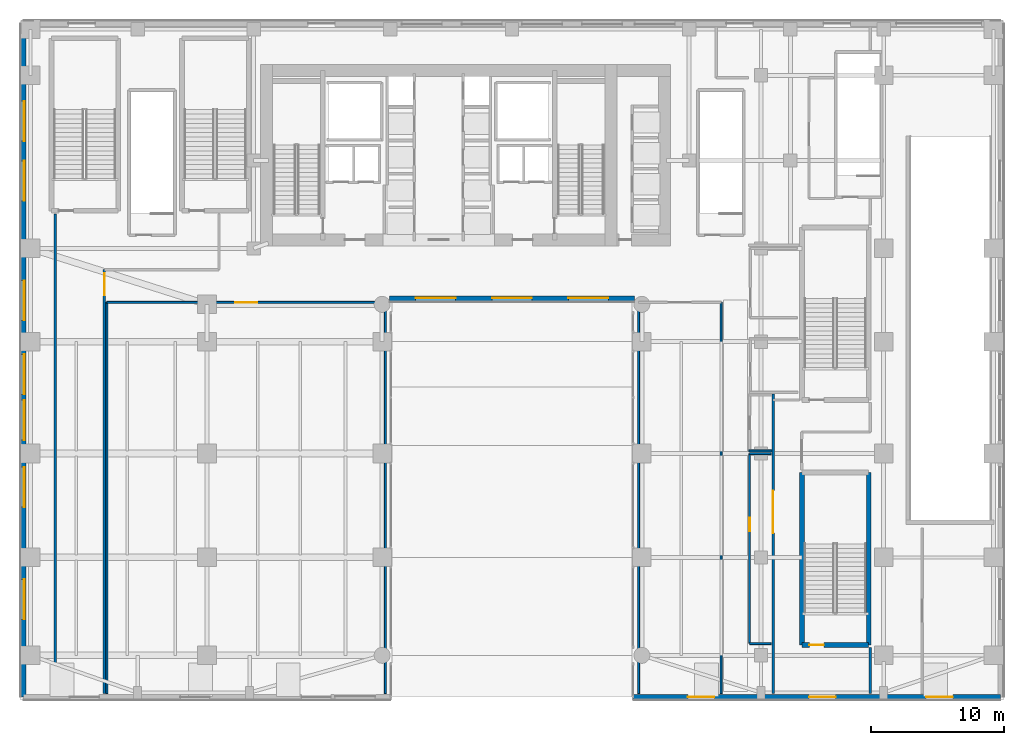
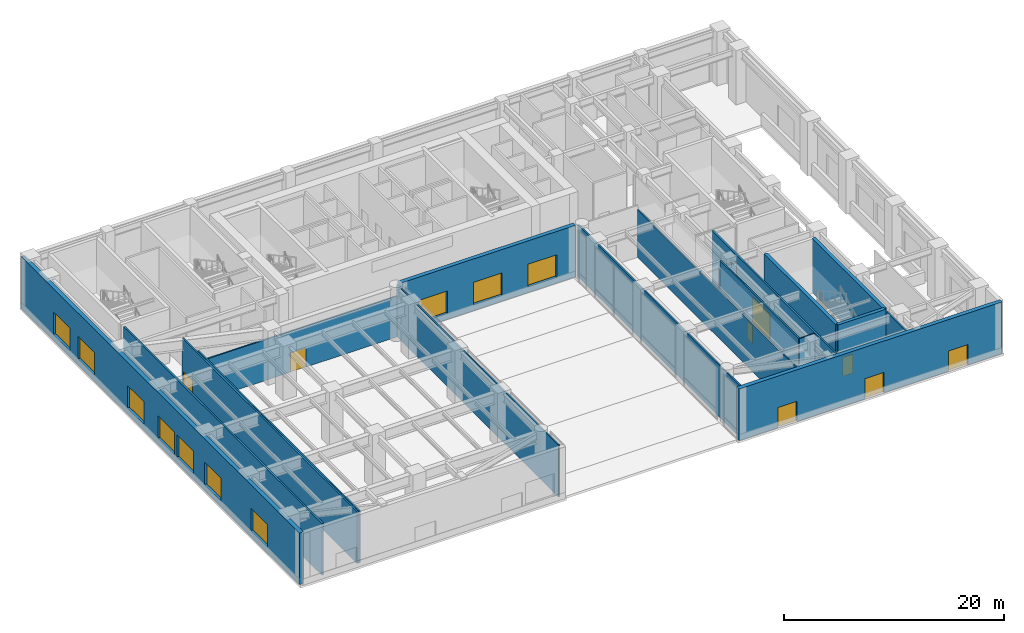
# One storey, part 13 of 28: 19 walls, 10 windows, 8 doors, 18 openings.
"""IFC4 building model written with IfcOpenShell, lengths in metres."""

from ifc_helpers import new_model, si_unit, direction, frame, frame_2d, origin, place, context, subcontext, project, spatial, rectangle, extrude, source, transform, mapped, material, layer, layer_set, type_object, type_shapes, element, fill, save


model = new_model("IFC4")

# Units and contexts
model_context = context("Model", 3, precision=1e-05, world=origin(), true_north=direction((0.0, 1.0)))
body_context = subcontext(model_context, "Body", "Model", "MODEL_VIEW")
ifc_project = project(units=[si_unit("LENGTHUNIT", "METRE"), si_unit("AREAUNIT", "SQUARE_METRE"), si_unit("VOLUMEUNIT", "CUBIC_METRE"), si_unit("PLANEANGLEUNIT", "RADIAN"), si_unit("MASSUNIT", "GRAM", prefix="KILO")], contexts=[model_context])

# Site, building, storey
site_placement = place(None, origin())
site = spatial("IfcSite", under=ifc_project, at=site_placement, CompositionType="ELEMENT")
building_placement = place(site_placement, origin())
building = spatial("IfcBuilding", under=site, at=building_placement, Name="Tolvann Quenvar Hotel", CompositionType="ELEMENT")
storey_placement = place(building_placement, origin())
storey = spatial("IfcBuildingStorey", under=building, at=storey_placement, Name="L00", CompositionType="ELEMENT", Elevation=0.0)

# Wall, opening, door
ifc_material_1 = material(Name="Concrete S65 (65 MPa)", Category="concrete")
ifc_layer_1 = layer(ifc_material_1, 0.35009765625)
ifc_layer_set_1 = layer_set([ifc_layer_1], Name="Concrete S65 (65 MPa)")
wall_type_1 = type_object("IfcWallType", Name="WALL_CORE_INT_350", PredefinedType="SHEAR", material=ifc_layer_set_1)
wall_1_placement = place(storey_placement, frame((50.27490234375, 1.625, 0.0), z_axis=(0.0, 0.0, 1.0), x_axis=(1.0, 0.0, 0.0)))
wall_1 = element("IfcWall", 1, at=wall_1_placement, inside=storey, type_object=wall_type_1, Name="Stairwell ST-P3 Structural Shaft Wall S (L00)", PredefinedType="SHEAR", context=body_context, shape_type="SweptSolid", body=[
    extrude(rectangle(XDim=5.0, YDim=0.35009765625, at=frame_2d((2.5, 0.0))), origin(), (0.0, 0.0, 1.0), 6.0),
])
opening_1_placement = place(wall_1_placement, frame((1.650146484375, 0.0, 0.0), z_axis=(0.0, 0.0, 1.0), x_axis=(-1.0, 0.0, 0.0)))
opening_1 = element("IfcOpeningElement", 2, at=opening_1_placement, cuts=wall_1, Name="Opening FD-120", PredefinedType="OPENING", context=body_context, shape_type="SweptSolid", body=[
    extrude(rectangle(XDim=1.10009765625, YDim=2.1201171875, at=frame_2d((0.550048828125, 1.06005859375))), frame((0.0, 0.18505859375, 0.0), z_axis=(0.0, -1.0, 0.0), x_axis=(1.0, 0.0, 0.0)), (0.0, 0.0, 1.0), 0.3701171875),
])
ifc_material_2 = material(Name="Pressed galvanised steel fire-rated door set", Category="steel")
door_type_1 = type_object("IfcDoorType", Name="DOOR_FIRE_STAIR_1100", OperationType="NOTDEFINED", PredefinedType="DOOR", material=ifc_material_2)
shared_shape_1 = source(origin(), body_context, "Body", "SweptSolid", [
    extrude(rectangle(XDim=1.10009765625, YDim=2.1201171875, at=frame_2d((0.550048828125, 1.06005859375))), frame((0.0, 0.02490234375, 0.0), z_axis=(0.0, -1.0, 0.0), x_axis=(1.0, 0.0, 0.0)), (0.0, 0.0, 1.0), 0.050048828125),
])
type_shapes(door_type_1, [shared_shape_1])
door_1_placement = place(opening_1_placement, origin())
door_1 = element("IfcDoor", 3, at=door_1_placement, inside=storey, type_object=door_type_1, Name="Exit Stair ST-P3 Fire Door (L00)", OperationType="SINGLE_SWING_LEFT", OverallHeight=2.1201171875, OverallWidth=1.10009765625, PredefinedType="DOOR", context=body_context, shape_type="MappedRepresentation", body=[
    mapped(shared_shape_1, transform((0.0, 0.0, 0.0), x_axis=(1.0, 0.0, 0.0), y_axis=(0.0, 1.0, 0.0), z_axis=(0.0, 0.0, 1.0), scale=1.0)),
])
fill(opening_1, door_1)

# Walls
for number, where, z_axis, x_axis, name in (
    (4, (55.27490234375, 1.625, 0.0), (0.0, 0.0, 1.0), (0.0, 1.0, 0.0), "Stairwell ST-P3 Structural Shaft Wall E (L00)"),
    (5, (50.27490234375, 14.574951171875, 0.0), (0.0, 0.0, 1.0), (0.0, -1.0, 0.0), "Stairwell ST-P3 Structural Shaft Wall W (L00)"),
):
    element("IfcWall", number, at=place(storey_placement, frame(where, z_axis=z_axis, x_axis=x_axis)), inside=storey, type_object=wall_type_1, Name=name, PredefinedType="SHEAR", context=body_context, shape_type="SweptSolid", body=[
        extrude(rectangle(XDim=12.949951171875, YDim=0.35009765625, at=frame_2d((6.47509765625, 0.0))), origin(), (0.0, 0.0, 1.0), 6.0),
    ])

# Wall, openings, windows
ifc_material_3 = material(Name="Kiln-fired red and buff architectural clay brickwork and terracotta masonry", Category="masonry")
ifc_layer_2 = layer(ifc_material_3, 0.419921875)
ifc_layer_set_2 = layer_set([ifc_layer_2], Name="Kiln-fired red and buff architectural clay brickwork and terracotta masonry")
wall_type_2 = type_object("IfcWallType", Name="WALL_EXT_POD_420", PredefinedType="SOLIDWALL", material=ifc_layer_set_2)
wall_2_placement = place(storey_placement, frame((19.2900390625, 27.610107421875, 0.0), z_axis=(0.0, 0.0, 1.0), x_axis=(1.0, 0.0, 0.0)))
wall_2 = element("IfcWall", 6, at=wall_2_placement, inside=storey, type_object=wall_type_2, Name="Exterior Chicago Brick Wall L00-E02", PredefinedType="SOLIDWALL", context=body_context, shape_type="SweptSolid", body=[
    extrude(rectangle(XDim=18.419921875, YDim=0.419921875, at=frame_2d((9.2099609375, 0.0))), origin(), (0.0, 0.0, 1.0), 5.739990234375),
])
opening_2_placement = place(wall_2_placement, frame((1.969970703125, 0.0, 0.64990234375)))
opening_2 = element("IfcOpeningElement", 7, at=opening_2_placement, cuts=wall_2, Name="Opening W-05", PredefinedType="OPENING", context=body_context, shape_type="SweptSolid", body=[
    extrude(rectangle(XDim=3.0, YDim=2.5, at=frame_2d((1.5, 1.25))), frame((0.0, 0.219970703125, 0.0), z_axis=(0.0, -1.0, 0.0), x_axis=(1.0, 0.0, 0.0)), (0.0, 0.0, 1.0), 0.43994140625),
])
opening_3_placement = place(wall_2_placement, frame((7.7099609375, 0.0, 0.64990234375)))
opening_3 = element("IfcOpeningElement", 8, at=opening_3_placement, cuts=wall_2, Name="Opening W-05", PredefinedType="OPENING", context=body_context, shape_type="SweptSolid", body=[
    extrude(rectangle(XDim=3.0, YDim=2.5, at=frame_2d((1.5, 1.25))), frame((0.0, 0.219970703125, 0.0), z_axis=(0.0, -1.0, 0.0), x_axis=(1.0, 0.0, 0.0)), (0.0, 0.0, 1.0), 0.43994140625),
])
opening_4_placement = place(wall_2_placement, frame((13.449951171875, 0.0, 0.64990234375)))
opening_4 = element("IfcOpeningElement", 9, at=opening_4_placement, cuts=wall_2, Name="Opening W-05", PredefinedType="OPENING", context=body_context, shape_type="SweptSolid", body=[
    extrude(rectangle(XDim=3.0, YDim=2.5, at=frame_2d((1.5, 1.25))), frame((0.0, 0.219970703125, 0.0), z_axis=(0.0, -1.0, 0.0), x_axis=(1.0, 0.0, 0.0)), (0.0, 0.0, 1.0), 0.43994140625),
])
ifc_material_4 = material(Name="Thermally broken bronze-anodised aluminium frame with double low-E glazing", Category="aluminium")
window_type = type_object("IfcWindowType", Name="WIN_POD_3000x2600", PartitioningType="TRIPLE_PANEL_HORIZONTAL", PredefinedType="WINDOW", material=ifc_material_4)
shared_shape_2 = source(origin(), body_context, "Body", "SweptSolid", [
    extrude(rectangle(XDim=3.0, YDim=2.5, at=frame_2d((1.5, 1.25))), frame((0.0, 0.090087890625, 0.0), z_axis=(0.0, -1.0, 0.0), x_axis=(1.0, 0.0, 0.0)), (0.0, 0.0, 1.0), 0.06005859375),
])
type_shapes(window_type, [shared_shape_2])
window_1_placement = place(opening_2_placement, origin())
window_1 = element("IfcWindow", 10, at=window_1_placement, inside=storey, type_object=window_type, Name="Chicago Window W-05 (EW-L00-E02-W01)", OverallHeight=2.5, OverallWidth=3.0, PartitioningType="TRIPLE_PANEL_HORIZONTAL", PredefinedType="WINDOW", context=body_context, shape_type="MappedRepresentation", body=[
    mapped(shared_shape_2, transform((0.0, 0.0, 0.0), x_axis=(1.0, 0.0, 0.0), y_axis=(0.0, 1.0, 0.0), z_axis=(0.0, 0.0, 1.0), scale=1.0)),
])
fill(opening_2, window_1)
window_2_placement = place(opening_3_placement, origin())
window_2 = element("IfcWindow", 11, at=window_2_placement, inside=storey, type_object=window_type, Name="Chicago Window W-05 (EW-L00-E02-W02)", OverallHeight=2.5, OverallWidth=3.0, PartitioningType="TRIPLE_PANEL_HORIZONTAL", PredefinedType="WINDOW", context=body_context, shape_type="MappedRepresentation", body=[
    mapped(shared_shape_2, transform((0.0, 0.0, 0.0), x_axis=(1.0, 0.0, 0.0), y_axis=(0.0, 1.0, 0.0), z_axis=(0.0, 0.0, 1.0), scale=1.0)),
])
fill(opening_3, window_2)
window_3_placement = place(opening_4_placement, origin())
window_3 = element("IfcWindow", 12, at=window_3_placement, inside=storey, type_object=window_type, Name="Chicago Window W-05 (EW-L00-E02-W03)", OverallHeight=2.5, OverallWidth=3.0, PartitioningType="TRIPLE_PANEL_HORIZONTAL", PredefinedType="WINDOW", context=body_context, shape_type="MappedRepresentation", body=[
    mapped(shared_shape_2, transform((0.0, 0.0, 0.0), x_axis=(1.0, 0.0, 0.0), y_axis=(0.0, 1.0, 0.0), z_axis=(0.0, 0.0, 1.0), scale=1.0)),
])
fill(opening_4, window_3)

# Wall, openings, doors
wall_3_placement = place(storey_placement, frame((37.590087890625, -2.2900390625, 0.0), z_axis=(0.0, 0.0, 1.0), x_axis=(1.0, 0.0, 0.0)))
wall_3 = element("IfcWall", 13, at=wall_3_placement, inside=storey, type_object=wall_type_2, Name="Exterior Chicago Brick Wall L00-E04", PredefinedType="SOLIDWALL", context=body_context, shape_type="SweptSolid", body=[
    extrude(rectangle(XDim=27.599853515625, YDim=0.419921875, at=frame_2d((13.7998046875, 0.0))), origin(), (0.0, 0.0, 1.0), 5.739990234375),
])
opening_5_placement = place(wall_3_placement, frame((6.110107421875, 0.0, 0.0), z_axis=(0.0, 0.0, 1.0), x_axis=(-1.0, 0.0, 0.0)))
opening_5 = element("IfcOpeningElement", 14, at=opening_5_placement, cuts=wall_3, Name="Opening EX-D1", PredefinedType="OPENING", context=body_context, shape_type="SweptSolid", body=[
    extrude(rectangle(XDim=2.0, YDim=2.25, at=frame_2d((1.0, 1.125))), frame((0.0, 0.219970703125, 0.0), z_axis=(0.0, -1.0, 0.0), x_axis=(1.0, 0.0, 0.0)), (0.0, 0.0, 1.0), 0.43994140625),
])
opening_6_placement = place(wall_3_placement, frame((15.2099609375, 0.0, 0.0), z_axis=(0.0, 0.0, 1.0), x_axis=(-1.0, 0.0, 0.0)))
opening_6 = element("IfcOpeningElement", 15, at=opening_6_placement, cuts=wall_3, Name="Opening EX-D1", PredefinedType="OPENING", context=body_context, shape_type="SweptSolid", body=[
    extrude(rectangle(XDim=2.0, YDim=2.25, at=frame_2d((1.0, 1.125))), frame((0.0, 0.219970703125, 0.0), z_axis=(0.0, -1.0, 0.0), x_axis=(1.0, 0.0, 0.0)), (0.0, 0.0, 1.0), 0.43994140625),
])
opening_7_placement = place(wall_3_placement, frame((24.010009765625, 0.0, 0.0), z_axis=(0.0, 0.0, 1.0), x_axis=(-1.0, 0.0, 0.0)))
opening_7 = element("IfcOpeningElement", 16, at=opening_7_placement, cuts=wall_3, Name="Opening EX-D1", PredefinedType="OPENING", context=body_context, shape_type="SweptSolid", body=[
    extrude(rectangle(XDim=2.0, YDim=2.25, at=frame_2d((1.0, 1.125))), frame((0.0, 0.219970703125, 0.0), z_axis=(0.0, -1.0, 0.0), x_axis=(1.0, 0.0, 0.0)), (0.0, 0.0, 1.0), 0.43994140625),
])
ifc_material_5 = material(Name="Bronze-anodised thermally broken aluminium glazed entrance door", Category="aluminium")
door_type_2 = type_object("IfcDoorType", Name="DOOR_EXT_FINAL_2000", OperationType="NOTDEFINED", PredefinedType="DOOR", material=ifc_material_5)
shared_shape_3 = source(origin(), body_context, "Body", "SweptSolid", [
    extrude(rectangle(XDim=2.0, YDim=2.25, at=frame_2d((1.0, 1.125))), frame((0.0, 0.02490234375, 0.0), z_axis=(0.0, -1.0, 0.0), x_axis=(1.0, 0.0, 0.0)), (0.0, 0.0, 1.0), 0.050048828125),
])
type_shapes(door_type_2, [shared_shape_3])
door_2_placement = place(opening_5_placement, origin())
door_2 = element("IfcDoor", 17, at=door_2_placement, inside=storey, type_object=door_type_2, Name="Southbank Promenade Final Exit Door EX-SE1", OperationType="DOUBLE_DOOR_SINGLE_SWING", OverallHeight=2.25, OverallWidth=2.0, PredefinedType="DOOR", context=body_context, shape_type="MappedRepresentation", body=[
    mapped(shared_shape_3, transform((0.0, 0.0, 0.0), x_axis=(1.0, 0.0, 0.0), y_axis=(0.0, 1.0, 0.0), z_axis=(0.0, 0.0, 1.0), scale=1.0)),
])
fill(opening_5, door_2)
door_3_placement = place(opening_6_placement, origin())
door_3 = element("IfcDoor", 18, at=door_3_placement, inside=storey, type_object=door_type_2, Name="Southbank Promenade Final Exit Door EX-SE2", OperationType="DOUBLE_DOOR_SINGLE_SWING", OverallHeight=2.25, OverallWidth=2.0, PredefinedType="DOOR", context=body_context, shape_type="MappedRepresentation", body=[
    mapped(shared_shape_3, transform((0.0, 0.0, 0.0), x_axis=(1.0, 0.0, 0.0), y_axis=(0.0, 1.0, 0.0), z_axis=(0.0, 0.0, 1.0), scale=1.0)),
])
fill(opening_6, door_3)
door_4_placement = place(opening_7_placement, origin())
door_4 = element("IfcDoor", 19, at=door_4_placement, inside=storey, type_object=door_type_2, Name="Southbank Promenade Final Exit Door EX-SE3", OperationType="DOUBLE_DOOR_SINGLE_SWING", OverallHeight=2.25, OverallWidth=2.0, PredefinedType="DOOR", context=body_context, shape_type="MappedRepresentation", body=[
    mapped(shared_shape_3, transform((0.0, 0.0, 0.0), x_axis=(1.0, 0.0, 0.0), y_axis=(0.0, 1.0, 0.0), z_axis=(0.0, 0.0, 1.0), scale=1.0)),
])
fill(opening_7, door_4)

# Wall, openings, windows
wall_4_placement = place(storey_placement, frame((-8.18994140625, 48.2900390625, 0.0), z_axis=(0.0, 0.0, 1.0), x_axis=(0.0, -1.0, 0.0)))
wall_4 = element("IfcWall", 20, at=wall_4_placement, inside=storey, type_object=wall_type_2, Name="Exterior Chicago Brick Wall L00-E07", PredefinedType="SOLIDWALL", context=body_context, shape_type="SweptSolid", body=[
    extrude(rectangle(XDim=50.580078125, YDim=0.419921875, at=frame_2d((25.2900390625, 0.0))), origin(), (0.0, 0.0, 1.0), 5.739990234375),
])
opening_8_placement = place(wall_4_placement, frame((5.833984375, 0.0, 0.64990234375)))
opening_8 = element("IfcOpeningElement", 21, at=opening_8_placement, cuts=wall_4, Name="Opening W-05", PredefinedType="OPENING", context=body_context, shape_type="SweptSolid", body=[
    extrude(rectangle(XDim=3.0, YDim=2.5, at=frame_2d((1.5, 1.25))), frame((0.0, 0.219970703125, 0.0), z_axis=(0.0, -1.0, 0.0), x_axis=(1.0, 0.0, 0.0)), (0.0, 0.0, 1.0), 0.43994140625),
])
opening_9_placement = place(wall_4_placement, frame((10.322998046875, 0.0, 0.64990234375)))
opening_9 = element("IfcOpeningElement", 22, at=opening_9_placement, cuts=wall_4, Name="Opening W-05", PredefinedType="OPENING", context=body_context, shape_type="SweptSolid", body=[
    extrude(rectangle(XDim=3.0, YDim=2.5, at=frame_2d((1.5, 1.25))), frame((0.0, 0.219970703125, 0.0), z_axis=(0.0, -1.0, 0.0), x_axis=(1.0, 0.0, 0.0)), (0.0, 0.0, 1.0), 0.43994140625),
])
opening_10_placement = place(wall_4_placement, frame((19.301025390625, 0.0, 0.64990234375)))
opening_10 = element("IfcOpeningElement", 23, at=opening_10_placement, cuts=wall_4, Name="Opening W-05", PredefinedType="OPENING", context=body_context, shape_type="SweptSolid", body=[
    extrude(rectangle(XDim=3.0, YDim=2.5, at=frame_2d((1.5, 1.25))), frame((0.0, 0.219970703125, 0.0), z_axis=(0.0, -1.0, 0.0), x_axis=(1.0, 0.0, 0.0)), (0.0, 0.0, 1.0), 0.43994140625),
])
opening_11_placement = place(wall_4_placement, frame((24.840087890625, 0.0, 0.64990234375)))
opening_11 = element("IfcOpeningElement", 24, at=opening_11_placement, cuts=wall_4, Name="Opening W-05", PredefinedType="OPENING", context=body_context, shape_type="SweptSolid", body=[
    extrude(rectangle(XDim=3.0, YDim=2.5, at=frame_2d((1.5, 1.25))), frame((0.0, 0.219970703125, 0.0), z_axis=(0.0, -1.0, 0.0), x_axis=(1.0, 0.0, 0.0)), (0.0, 0.0, 1.0), 0.43994140625),
])
opening_12_placement = place(wall_4_placement, frame((28.279052734375, 0.0, 0.64990234375)))
opening_12 = element("IfcOpeningElement", 25, at=opening_12_placement, cuts=wall_4, Name="Opening W-05", PredefinedType="OPENING", context=body_context, shape_type="SweptSolid", body=[
    extrude(rectangle(XDim=3.0, YDim=2.5, at=frame_2d((1.5, 1.25))), frame((0.0, 0.219970703125, 0.0), z_axis=(0.0, -1.0, 0.0), x_axis=(1.0, 0.0, 0.0)), (0.0, 0.0, 1.0), 0.43994140625),
])
opening_13_placement = place(wall_4_placement, frame((33.318115234375, 0.0, 0.64990234375)))
opening_13 = element("IfcOpeningElement", 26, at=opening_13_placement, cuts=wall_4, Name="Opening W-05", PredefinedType="OPENING", context=body_context, shape_type="SweptSolid", body=[
    extrude(rectangle(XDim=3.0, YDim=2.5, at=frame_2d((1.5, 1.25))), frame((0.0, 0.219970703125, 0.0), z_axis=(0.0, -1.0, 0.0), x_axis=(1.0, 0.0, 0.0)), (0.0, 0.0, 1.0), 0.43994140625),
])
opening_14_placement = place(wall_4_placement, frame((41.74609375, 0.0, 0.64990234375)))
opening_14 = element("IfcOpeningElement", 27, at=opening_14_placement, cuts=wall_4, Name="Opening W-05", PredefinedType="OPENING", context=body_context, shape_type="SweptSolid", body=[
    extrude(rectangle(XDim=3.0, YDim=2.5, at=frame_2d((1.5, 1.25))), frame((0.0, 0.219970703125, 0.0), z_axis=(0.0, -1.0, 0.0), x_axis=(1.0, 0.0, 0.0)), (0.0, 0.0, 1.0), 0.43994140625),
])
window_4_placement = place(opening_8_placement, origin())
window_4 = element("IfcWindow", 28, at=window_4_placement, inside=storey, type_object=window_type, Name="Chicago Window W-05 (EW-L00-E07-W01)", OverallHeight=2.5, OverallWidth=3.0, PartitioningType="TRIPLE_PANEL_HORIZONTAL", PredefinedType="WINDOW", context=body_context, shape_type="MappedRepresentation", body=[
    mapped(shared_shape_2, transform((0.0, 0.0, 0.0), x_axis=(1.0, 0.0, 0.0), y_axis=(0.0, 1.0, 0.0), z_axis=(0.0, 0.0, 1.0), scale=1.0)),
])
fill(opening_8, window_4)
window_5_placement = place(opening_9_placement, origin())
window_5 = element("IfcWindow", 29, at=window_5_placement, inside=storey, type_object=window_type, Name="Chicago Window W-05 (EW-L00-E07-W02)", OverallHeight=2.5, OverallWidth=3.0, PartitioningType="TRIPLE_PANEL_HORIZONTAL", PredefinedType="WINDOW", context=body_context, shape_type="MappedRepresentation", body=[
    mapped(shared_shape_2, transform((0.0, 0.0, 0.0), x_axis=(1.0, 0.0, 0.0), y_axis=(0.0, 1.0, 0.0), z_axis=(0.0, 0.0, 1.0), scale=1.0)),
])
fill(opening_9, window_5)
window_6_placement = place(opening_10_placement, origin())
window_6 = element("IfcWindow", 30, at=window_6_placement, inside=storey, type_object=window_type, Name="Chicago Window W-05 (EW-L00-E07-W03)", OverallHeight=2.5, OverallWidth=3.0, PartitioningType="TRIPLE_PANEL_HORIZONTAL", PredefinedType="WINDOW", context=body_context, shape_type="MappedRepresentation", body=[
    mapped(shared_shape_2, transform((0.0, 0.0, 0.0), x_axis=(1.0, 0.0, 0.0), y_axis=(0.0, 1.0, 0.0), z_axis=(0.0, 0.0, 1.0), scale=1.0)),
])
fill(opening_10, window_6)
window_7_placement = place(opening_11_placement, origin())
window_7 = element("IfcWindow", 31, at=window_7_placement, inside=storey, type_object=window_type, Name="Chicago Window W-05 (EW-L00-E07-W04)", OverallHeight=2.5, OverallWidth=3.0, PartitioningType="TRIPLE_PANEL_HORIZONTAL", PredefinedType="WINDOW", context=body_context, shape_type="MappedRepresentation", body=[
    mapped(shared_shape_2, transform((0.0, 0.0, 0.0), x_axis=(1.0, 0.0, 0.0), y_axis=(0.0, 1.0, 0.0), z_axis=(0.0, 0.0, 1.0), scale=1.0)),
])
fill(opening_11, window_7)
window_8_placement = place(opening_12_placement, origin())
window_8 = element("IfcWindow", 32, at=window_8_placement, inside=storey, type_object=window_type, Name="Chicago Window W-05 (EW-L00-E07-W05)", OverallHeight=2.5, OverallWidth=3.0, PartitioningType="TRIPLE_PANEL_HORIZONTAL", PredefinedType="WINDOW", context=body_context, shape_type="MappedRepresentation", body=[
    mapped(shared_shape_2, transform((0.0, 0.0, 0.0), x_axis=(1.0, 0.0, 0.0), y_axis=(0.0, 1.0, 0.0), z_axis=(0.0, 0.0, 1.0), scale=1.0)),
])
fill(opening_12, window_8)
window_9_placement = place(opening_13_placement, origin())
window_9 = element("IfcWindow", 33, at=window_9_placement, inside=storey, type_object=window_type, Name="Chicago Window W-05 (EW-L00-E07-W06)", OverallHeight=2.5, OverallWidth=3.0, PartitioningType="TRIPLE_PANEL_HORIZONTAL", PredefinedType="WINDOW", context=body_context, shape_type="MappedRepresentation", body=[
    mapped(shared_shape_2, transform((0.0, 0.0, 0.0), x_axis=(1.0, 0.0, 0.0), y_axis=(0.0, 1.0, 0.0), z_axis=(0.0, 0.0, 1.0), scale=1.0)),
])
fill(opening_13, window_9)
window_10_placement = place(opening_14_placement, origin())
window_10 = element("IfcWindow", 34, at=window_10_placement, inside=storey, type_object=window_type, Name="Chicago Window W-05 (EW-L00-E07-W07)", OverallHeight=2.5, OverallWidth=3.0, PartitioningType="TRIPLE_PANEL_HORIZONTAL", PredefinedType="WINDOW", context=body_context, shape_type="MappedRepresentation", body=[
    mapped(shared_shape_2, transform((0.0, 0.0, 0.0), x_axis=(1.0, 0.0, 0.0), y_axis=(0.0, 1.0, 0.0), z_axis=(0.0, 0.0, 1.0), scale=1.0)),
])
fill(opening_14, window_10)

# Wall, opening, door
ifc_material_6 = material(Name="Acoustic twin-stud fire-rated gypsum plasterboard partition")
ifc_layer_3 = layer(ifc_material_6, 0.179931640625)
ifc_layer_set_3 = layer_set([ifc_layer_3], Name="Acoustic twin-stud fire-rated gypsum plasterboard partition")
wall_type_3 = type_object("IfcWallType", Name="WALL_PART_ACOUSTIC_180", PredefinedType="PARTITIONING", material=ifc_layer_set_3)
wall_5_placement = place(storey_placement, frame((-2.10009765625, -2.02490234375, 0.0), z_axis=(0.0, 0.0, 1.0), x_axis=(0.0, 1.0, 0.0)))
wall_5 = element("IfcWall", 35, at=wall_5_placement, inside=storey, type_object=wall_type_3, Name="Interior Partition PT-SPC-L00-EDP-NW-E2", PredefinedType="PARTITIONING", context=body_context, shape_type="SweptSolid", body=[
    extrude(rectangle(XDim=31.824951171875, YDim=0.179931640625, at=frame_2d((15.91259765625, 0.0))), origin(), (0.0, 0.0, 1.0), 5.739990234375),
])
opening_15_placement = place(wall_5_placement, frame((29.905029296875, 0.0, 0.0)))
opening_15 = element("IfcOpeningElement", 36, at=opening_15_placement, cuts=wall_5, Name="Opening AD-01", PredefinedType="OPENING", context=body_context, shape_type="SweptSolid", body=[
    extrude(rectangle(XDim=1.64990234375, YDim=2.14990234375, at=frame_2d((0.824951171875, 1.074951171875))), frame((0.0, 0.10009765625, 0.0), z_axis=(0.0, -1.0, 0.0), x_axis=(1.0, 0.0, 0.0)), (0.0, 0.0, 1.0), 0.199951171875),
])
ifc_material_7 = material(Name="Solid-core American oak acoustic fire door leaf in steel frame", Category="steel")
door_type_3 = type_object("IfcDoorType", Name="DOOR_SALON_1650", OperationType="NOTDEFINED", PredefinedType="DOOR", material=ifc_material_7)
shared_shape_4 = source(origin(), body_context, "Body", "SweptSolid", [
    extrude(rectangle(XDim=1.64990234375, YDim=2.14990234375, at=frame_2d((0.824951171875, 1.074951171875))), frame((0.0, 0.02490234375, 0.0), z_axis=(0.0, -1.0, 0.0), x_axis=(1.0, 0.0, 0.0)), (0.0, 0.0, 1.0), 0.050048828125),
])
type_shapes(door_type_3, [shared_shape_4])
door_5_placement = place(opening_15_placement, origin())
door_5 = element("IfcDoor", 37, at=door_5_placement, inside=storey, type_object=door_type_3, Name="Interior Door DOOR-SPC-L00-EDP-NW", OperationType="DOUBLE_DOOR_SINGLE_SWING", OverallHeight=2.14990234375, OverallWidth=1.64990234375, PredefinedType="DOOR", context=body_context, shape_type="MappedRepresentation", body=[
    mapped(shared_shape_4, transform((0.0, 0.0, 0.0), x_axis=(1.0, 0.0, 0.0), y_axis=(0.0, 1.0, 0.0), z_axis=(0.0, 0.0, 1.0), scale=1.0)),
])
fill(opening_15, door_5)

# Walls
wall_6_placement = place(storey_placement, frame((-5.800048828125, -2.02490234375, 0.0), z_axis=(0.0, 0.0, 1.0), x_axis=(0.0, 1.0, 0.0)))
element("IfcWall", 38, at=wall_6_placement, inside=storey, type_object=wall_type_3, Name="Interior Partition PT-SPC-L00-EDP-NW-E10", PredefinedType="PARTITIONING", context=body_context, shape_type="SweptSolid", body=[
    extrude(rectangle(XDim=36.02001953125, YDim=0.179931640625, at=frame_2d((18.010009765625, 0.0))), origin(), (0.0, 0.0, 1.0), 5.739990234375),
])
wall_7_placement = place(storey_placement, frame((55.39990234375, -2.02490234375, 0.0), z_axis=(0.0, 0.0, 1.0), x_axis=(0.0, 1.0, 0.0)))
element("IfcWall", 39, at=wall_7_placement, inside=storey, type_object=wall_type_3, Name="Interior Partition PT-SPC-L00-EDP-SE-E2", PredefinedType="PARTITIONING", context=body_context, shape_type="SweptSolid", body=[
    extrude(rectangle(XDim=3.474853515625, YDim=0.179931640625, at=frame_2d((1.7373046875, 0.0))), origin(), (0.0, 0.0, 1.0), 5.739990234375),
])

# Wall, opening, door
wall_8_placement = place(storey_placement, frame((48.10009765625, -2.02490234375, 0.0), z_axis=(0.0, 0.0, 1.0), x_axis=(0.0, 1.0, 0.0)))
wall_8 = element("IfcWall", 40, at=wall_8_placement, inside=storey, type_object=wall_type_3, Name="Interior Partition PT-SPC-L00-EDP-SE-E8", PredefinedType="PARTITIONING", context=body_context, shape_type="SweptSolid", body=[
    extrude(rectangle(XDim=22.494873046875, YDim=0.179931640625, at=frame_2d((11.24755859375, 0.0))), origin(), (0.0, 0.0, 1.0), 5.739990234375),
])
opening_16_placement = place(wall_8_placement, frame((12.047607421875, 0.0, 0.0)))
opening_16 = element("IfcOpeningElement", 41, at=opening_16_placement, cuts=wall_8, Name="Opening DG-01", PredefinedType="OPENING", context=body_context, shape_type="SweptSolid", body=[
    extrude(rectangle(XDim=3.199951171875, YDim=2.800048828125, at=frame_2d((1.60009765625, 1.39990234375))), frame((0.0, 0.10009765625, 0.0), z_axis=(0.0, -1.0, 0.0), x_axis=(1.0, 0.0, 0.0)), (0.0, 0.0, 1.0), 0.199951171875),
])
ifc_material_8 = material(Name="Heavy-duty powder-coated galvanised steel security shutter gate", Category="steel")
door_type_4 = type_object("IfcDoorType", Name="GATE_SRV_3200x2800", OperationType="NOTDEFINED", PredefinedType="GATE", material=ifc_material_8)
shared_shape_5 = source(origin(), body_context, "Body", "SweptSolid", [
    extrude(rectangle(XDim=3.199951171875, YDim=2.800048828125, at=frame_2d((1.60009765625, 1.39990234375))), frame((0.0, 0.02490234375, 0.0), z_axis=(0.0, -1.0, 0.0), x_axis=(1.0, 0.0, 0.0)), (0.0, 0.0, 1.0), 0.050048828125),
])
type_shapes(door_type_4, [shared_shape_5])
door_6_placement = place(opening_16_placement, origin())
door_6 = element("IfcDoor", 42, at=door_6_placement, inside=storey, type_object=door_type_4, Name="Service Control Gate DG-01 (03)", OperationType="ROLLINGUP", OverallHeight=2.800048828125, OverallWidth=3.199951171875, PredefinedType="GATE", context=body_context, shape_type="MappedRepresentation", body=[
    mapped(shared_shape_5, transform((0.0, 0.0, 0.0), x_axis=(1.0, 0.0, 0.0), y_axis=(0.0, 1.0, 0.0), z_axis=(0.0, 0.0, 1.0), scale=1.0)),
])
fill(opening_16, door_6)

ifc_layer_4 = layer(ifc_material_6, 0.14990234375)
ifc_layer_set_4 = layer_set([ifc_layer_4], Name="Acoustic twin-stud fire-rated gypsum plasterboard partition")
wall_type_4 = type_object("IfcWallType", Name="WALL_PART_SUITE_150", PredefinedType="PARTITIONING", material=ifc_layer_set_4)
wall_9_placement = place(storey_placement, frame((-1.919921875, 27.35009765625, 0.0), z_axis=(0.0, 0.0, 1.0), x_axis=(1.0, 0.0, 0.0)))
wall_9 = element("IfcWall", 43, at=wall_9_placement, inside=storey, type_object=wall_type_4, Name="Interior Partition PT-SPC-L00-ARR-N", PredefinedType="PARTITIONING", context=body_context, shape_type="SweptSolid", body=[
    extrude(rectangle(XDim=20.919921875, YDim=0.14990234375, at=frame_2d((10.4599609375, 0.0))), origin(), (0.0, 0.0, 1.0), 4.530029296875),
])
opening_17_placement = place(wall_9_placement, frame((9.635009765625, 0.0, 0.0)))
opening_17 = element("IfcOpeningElement", 44, at=opening_17_placement, cuts=wall_9, Name="Opening AD-01", PredefinedType="OPENING", context=body_context, shape_type="SweptSolid", body=[
    extrude(rectangle(XDim=1.64990234375, YDim=2.14990234375, at=frame_2d((0.824951171875, 1.074951171875))), frame((0.0, 0.0849609375, 0.0), z_axis=(0.0, -1.0, 0.0), x_axis=(1.0, 0.0, 0.0)), (0.0, 0.0, 1.0), 0.169921875),
])
door_7_placement = place(opening_17_placement, origin())
door_7 = element("IfcDoor", 45, at=door_7_placement, inside=storey, type_object=door_type_3, Name="Interior Door DOOR-SPC-L00-ARR", OperationType="DOUBLE_DOOR_SINGLE_SWING", OverallHeight=2.14990234375, OverallWidth=1.64990234375, PredefinedType="DOOR", context=body_context, shape_type="MappedRepresentation", body=[
    mapped(shared_shape_4, transform((0.0, 0.0, 0.0), x_axis=(1.0, 0.0, 0.0), y_axis=(0.0, 1.0, 0.0), z_axis=(0.0, 0.0, 1.0), scale=1.0)),
])
fill(opening_17, door_7)

# Walls
wall_10_placement = place(storey_placement, frame((-1.919921875, -2.02490234375, 0.0), z_axis=(0.0, 0.0, 1.0), x_axis=(0.0, 1.0, 0.0)))
element("IfcWall", 46, at=wall_10_placement, inside=storey, type_object=wall_type_4, Name="Interior Partition PT-SPC-L00-ARR-W", PredefinedType="PARTITIONING", context=body_context, shape_type="SweptSolid", body=[
    extrude(rectangle(XDim=29.375, YDim=0.14990234375, at=frame_2d((14.6875, 0.0))), origin(), (0.0, 0.0, 1.0), 5.739990234375),
])
for number, where, z_axis, x_axis, name in (
    (47, (19.0, -2.02490234375, 0.0), (0.0, 0.0, 1.0), (0.0, 1.0, 0.0), "Interior Partition PT-SPC-L00-ARR-E"),
    (48, (38.0, -2.02490234375, 0.0), (0.0, 0.0, 1.0), (0.0, 1.0, 0.0), "Interior Partition PT-SPC-L00-TICK-W"),
):
    element("IfcWall", number, at=place(storey_placement, frame(where, z_axis=z_axis, x_axis=x_axis)), inside=storey, type_object=wall_type_4, Name=name, PredefinedType="PARTITIONING", context=body_context, shape_type="SweptSolid", body=[
        extrude(rectangle(XDim=29.4248046875, YDim=0.14990234375, at=frame_2d((14.71240234375, 0.0))), origin(), (0.0, 0.0, 1.0), 5.739990234375),
    ])
wall_11_placement = place(storey_placement, frame((44.199951171875, -2.02490234375, 0.0), z_axis=(0.0, 0.0, 1.0), x_axis=(0.0, 1.0, 0.0)))
element("IfcWall", 49, at=wall_11_placement, inside=storey, type_object=wall_type_4, Name="Interior Partition PT-SPC-L00-TICK-E", PredefinedType="PARTITIONING", context=body_context, shape_type="SweptSolid", body=[
    extrude(rectangle(XDim=29.375, YDim=0.14990234375, at=frame_2d((14.6875, 0.0))), origin(), (0.0, 0.0, 1.0), 5.27587890625),
])
wall_12_placement = place(storey_placement, frame((46.280029296875, 16.199951171875, 0.0), z_axis=(0.0, 0.0, 1.0), x_axis=(1.0, 0.0, 0.0)))
element("IfcWall", 50, at=wall_12_placement, inside=storey, type_object=wall_type_4, Name="Interior Partition PT-SPC-L00-WCW-S", PredefinedType="PARTITIONING", context=body_context, shape_type="SweptSolid", body=[
    extrude(rectangle(XDim=1.739990234375, YDim=0.14990234375, at=frame_2d((0.8701171875, 0.0))), origin(), (0.0, 0.0, 1.0), 4.9140625),
])
wall_13_placement = place(storey_placement, frame((46.35009765625, 1.719970703125, 0.0), z_axis=(0.0, 0.0, 1.0), x_axis=(1.0, 0.0, 0.0)))
element("IfcWall", 51, at=wall_13_placement, inside=storey, type_object=wall_type_4, Name="Interior Partition PT-SPC-L00-LUG-S", PredefinedType="PARTITIONING", context=body_context, shape_type="SweptSolid", body=[
    extrude(rectangle(XDim=1.599853515625, YDim=0.14990234375, at=frame_2d((0.7998046875, 0.0))), origin(), (0.0, 0.0, 1.0), 5.739990234375),
])
wall_14_placement = place(storey_placement, frame((46.35009765625, 16.0, 0.0), z_axis=(0.0, 0.0, 1.0), x_axis=(1.0, 0.0, 0.0)))
element("IfcWall", 52, at=wall_14_placement, inside=storey, type_object=wall_type_4, Name="Interior Partition PT-SPC-L00-LUG-N", PredefinedType="PARTITIONING", context=body_context, shape_type="SweptSolid", body=[
    extrude(rectangle(XDim=1.599853515625, YDim=0.14990234375, at=frame_2d((0.7998046875, 0.0))), origin(), (0.0, 0.0, 1.0), 4.9140625),
])

# Wall, opening, door
wall_15_placement = place(storey_placement, frame((46.35009765625, 1.719970703125, 0.0), z_axis=(0.0, 0.0, 1.0), x_axis=(0.0, 1.0, 0.0)))
wall_15 = element("IfcWall", 53, at=wall_15_placement, inside=storey, type_object=wall_type_4, Name="Interior Partition PT-SPC-L00-LUG-W", PredefinedType="PARTITIONING", context=body_context, shape_type="SweptSolid", body=[
    extrude(rectangle(XDim=14.280029296875, YDim=0.14990234375, at=frame_2d((7.14013671875, 0.0))), origin(), (0.0, 0.0, 1.0), 5.739990234375),
])
opening_18_placement = place(wall_15_placement, frame((8.429931640625, 0.0, 0.0)))
opening_18 = element("IfcOpeningElement", 54, at=opening_18_placement, cuts=wall_15, Name="Opening HD-01", PredefinedType="OPENING", context=body_context, shape_type="SweptSolid", body=[
    extrude(rectangle(XDim=1.02001953125, YDim=2.030029296875, at=frame_2d((0.510009765625, 1.01513671875))), frame((0.0, 0.0849609375, 0.0), z_axis=(0.0, -1.0, 0.0), x_axis=(1.0, 0.0, 0.0)), (0.0, 0.0, 1.0), 0.169921875),
])
door_type_5 = type_object("IfcDoorType", Name="DOOR_BOH_1020", OperationType="NOTDEFINED", PredefinedType="DOOR", material=ifc_material_2)
shared_shape_6 = source(origin(), body_context, "Body", "SweptSolid", [
    extrude(rectangle(XDim=1.02001953125, YDim=2.030029296875, at=frame_2d((0.510009765625, 1.01513671875))), frame((0.0, 0.02490234375, 0.0), z_axis=(0.0, -1.0, 0.0), x_axis=(1.0, 0.0, 0.0)), (0.0, 0.0, 1.0), 0.050048828125),
])
type_shapes(door_type_5, [shared_shape_6])
door_8_placement = place(opening_18_placement, origin())
door_8 = element("IfcDoor", 55, at=door_8_placement, inside=storey, type_object=door_type_5, Name="Interior Door DOOR-SPC-L00-LUG", OperationType="SINGLE_SWING_LEFT", OverallHeight=2.030029296875, OverallWidth=1.02001953125, PredefinedType="DOOR", context=body_context, shape_type="MappedRepresentation", body=[
    mapped(shared_shape_6, transform((0.0, 0.0, 0.0), x_axis=(1.0, 0.0, 0.0), y_axis=(0.0, 1.0, 0.0), z_axis=(0.0, 0.0, 1.0), scale=1.0)),
])
fill(opening_18, door_8)

save(model, "model.ifc")
